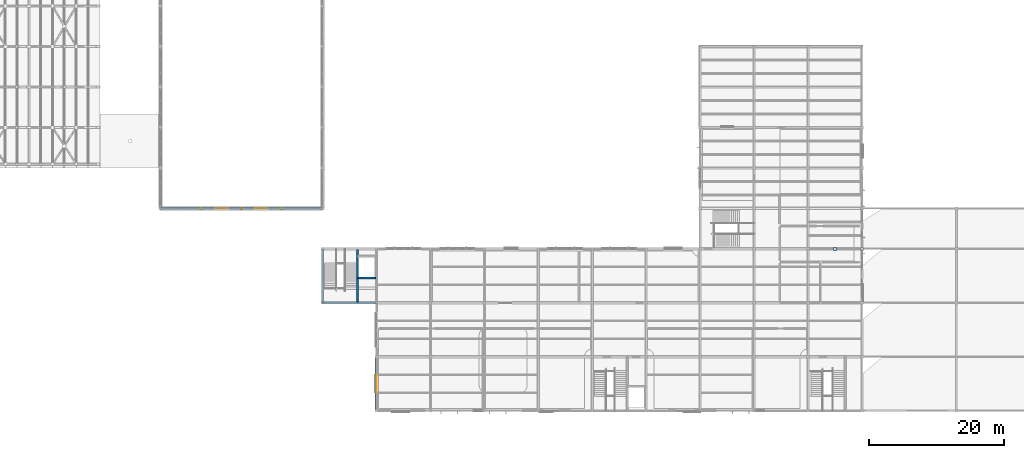
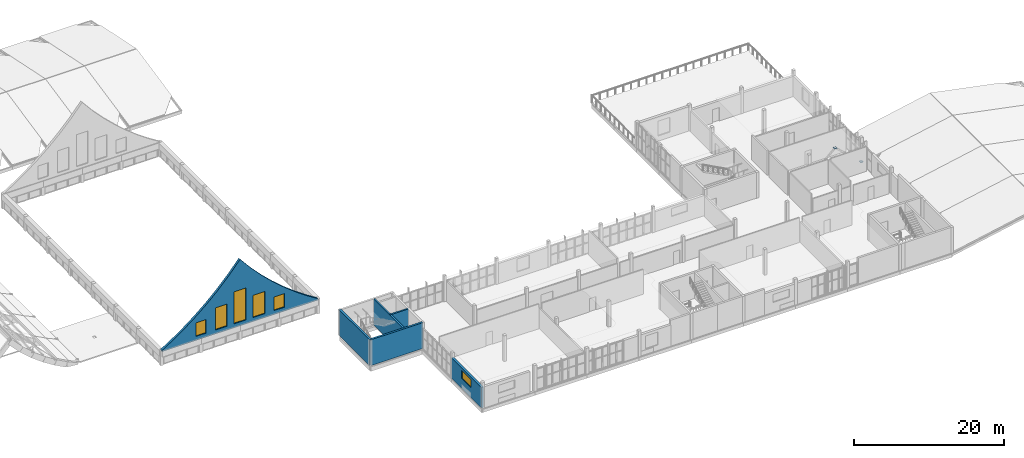
# One storey, part 35 of 45: 6 walls, 6 windows, 2 plates, 6 openings.
"""IFC4 building model written with IfcOpenShell, lengths in metres."""

from ifc_helpers import new_model, si_unit, direction, frame, frame_2d, origin, origin_2d, place, context, subcontext, project, spatial, polyline, rectangle, outline, extrude, material, layer, layer_set, type_object, element, fill, save


model = new_model("IFC4")

# Units and contexts
model_context = context("Model", 3, precision=1e-05, world=origin(), true_north=direction((0.0, 1.0)))
body_context = subcontext(model_context, "Body", "Model", "MODEL_VIEW")
ifc_project = project(units=[si_unit("LENGTHUNIT", "METRE"), si_unit("AREAUNIT", "SQUARE_METRE"), si_unit("VOLUMEUNIT", "CUBIC_METRE"), si_unit("PLANEANGLEUNIT", "RADIAN"), si_unit("MASSUNIT", "GRAM", prefix="KILO")], contexts=[model_context])

# Site, building, storey
site_placement = place(None, origin())
site = spatial("IfcSite", under=ifc_project, at=site_placement, CompositionType="ELEMENT")
building_placement = place(site_placement, origin())
building = spatial("IfcBuilding", under=site, at=building_placement, Name="Solvane Community Centre", CompositionType="ELEMENT")
storey_placement = place(building_placement, frame((0.0, 0.0, 13.800048828125)))
storey = spatial("IfcBuildingStorey", under=building, at=storey_placement, Name="L03", CompositionType="ELEMENT", Elevation=13.800048828125)

# Plates
ifc_material_1 = material(Name="Steel ASTM A572 Grade 50", Category="steel")
ifc_layer_1 = layer(ifc_material_1, 0.02392578125)
ifc_layer_set_1 = layer_set([ifc_layer_1], Name="Steel ASTM A572 Grade 50")
plate_type = type_object("IfcPlateType", Name="Bracing Node Gusset Plate 420x420x24", PredefinedType="USERDEFINED", material=ifc_layer_set_1)
for number, where, z_axis, x_axis, name in (
    (1, (136.0, 30.0, 3.81787109375), (0.0, 0.0, 1.0), (1.0, 0.0, 0.0), "Gusset Plate PLT-L03-0121"),
    (2, (140.0, 30.0, 0.2080078125), (0.0, 0.0, 1.0), (1.0, 0.0, 0.0), "Gusset Plate PLT-L03-0123"),
):
    element("IfcPlate", number, at=place(storey_placement, frame(where, z_axis=z_axis, x_axis=x_axis)), inside=storey, type_object=plate_type, Name=name, ObjectType="GUSSET_PLATE", PredefinedType="USERDEFINED", context=body_context, shape_type="SweptSolid", body=[
        extrude(rectangle(XDim=0.419921875, YDim=0.419921875, at=origin_2d()), origin(), (0.0, 0.0, 1.0), 0.02392578125),
    ])

# Wall, opening, window
ifc_material_2 = material(Name="Precast concrete C35/45", Category="concrete")
ifc_layer_2 = layer(ifc_material_2, 0.35009765625)
ifc_layer_set_2 = layer_set([ifc_layer_2], Name="Precast concrete C35/45")
wall_type_1 = type_object("IfcWallType", Name="Art Deco Limestone Cavity Wall 350mm [80x33dm]", PredefinedType="SOLIDWALL", material=ifc_layer_set_2)
wall_1_placement = place(storey_placement, frame((68.0, 6.0, 0.0), z_axis=(0.0, 0.0, 1.0), x_axis=(0.0, 1.0, 0.0)))
wall_1 = element("IfcWall", 3, at=wall_1_placement, inside=storey, type_object=wall_type_1, Name="Exterior Wall WL-EXT-L03-0144", PredefinedType="SOLIDWALL", context=body_context, shape_type="SweptSolid", body=[
    extrude(rectangle(XDim=8.0, YDim=0.35009765625, at=frame_2d((4.0, 0.0))), origin(), (0.0, 0.0, 1.0), 3.324951171875),
])
opening_1_placement = place(wall_1_placement, frame((2.75, 0.0, 1.60009765625)))
opening_1 = element("IfcOpeningElement", 4, at=opening_1_placement, cuts=wall_1, Name="Opening WN16", PredefinedType="OPENING", context=body_context, shape_type="SweptSolid", body=[
    extrude(rectangle(XDim=2.5, YDim=1.300048828125, at=frame_2d((1.25, 0.64990234375))), frame((0.0, 0.18505859375, 0.0), z_axis=(0.0, -1.0, 0.0), x_axis=(1.0, 0.0, 0.0)), (0.0, 0.0, 1.0), 0.3701171875),
])
ifc_material_3 = material(Name="Tempered low-E double glazing", Category="glass")
window_type_1 = type_object("IfcWindowType", Name="Cloister Clerestory Window 2500x1300", PartitioningType="DOUBLE_PANEL_VERTICAL", PredefinedType="WINDOW", material=ifc_material_3)
window_1_placement = place(opening_1_placement, origin())
window_1 = element("IfcWindow", 5, at=window_1_placement, inside=storey, type_object=window_type_1, Name="L03-W064", OverallHeight=1.300048828125, OverallWidth=2.5, PartitioningType="DOUBLE_PANEL_VERTICAL", PredefinedType="WINDOW", context=body_context, shape_type="SweptSolid", body=[
    extrude(rectangle(XDim=2.5, YDim=1.300048828125, at=frame_2d((1.25, 0.64990234375))), frame((0.0, 0.030029296875, 0.0), z_axis=(0.0, -1.0, 0.0), x_axis=(1.0, 0.0, 0.0)), (0.0, 0.0, 1.0), 0.06005859375),
])
fill(opening_1, window_1)

# Wall, openings, windows
ifc_layer_3 = layer(ifc_material_2, 0.360107421875)
ifc_layer_set_3 = layer_set([ifc_layer_3], Name="Precast concrete C35/45")
wall_type_2 = type_object("IfcWallType", Name="Peaked Hall Gable Translucent-Frame Wall 360mm", PredefinedType="SOLIDWALL", material=ifc_layer_set_3)
wall_2_placement = place(storey_placement, frame((60.0, 36.0, 2.179931640625), z_axis=(0.0, 0.0, 1.0), x_axis=(-1.0, 0.0, 0.0)))
wall_2 = element("IfcWall", 6, at=wall_2_placement, inside=storey, type_object=wall_type_2, Name="Exterior Wall WL-EXT-L03-0102", PredefinedType="SOLIDWALL", context=body_context, shape_type="SweptSolid", body=[
    extrude(outline(polyline([(0.0, 0.0), (24.0, 0.0), (24.0, 0.219970703125), (22.28564453125, 1.31396484375), (20.571533203125, 2.521484375), (18.857177734375, 3.854248046875), (17.142822265625, 5.32763671875), (15.428466796875, 6.960693359375), (13.71435546875, 8.779296875), (12.0, 10.820068359375), (10.28564453125, 8.779296875), (8.571533203125, 6.960693359375), (6.857177734375, 5.32763671875), (5.142822265625, 3.854248046875), (3.428466796875, 2.521484375), (1.71435546875, 1.31396484375), (0.0, 0.219970703125), (0.0, 0.0)])), frame((0.0, 0.18017578125, 0.0), z_axis=(0.0, -1.0, 0.0), x_axis=(1.0, 0.0, 0.0)), (0.0, 0.0, 1.0), 0.360107421875),
])
opening_2_placement = place(wall_2_placement, frame((5.199951171875, 0.0, 0.669921875)))
opening_2 = element("IfcOpeningElement", 7, at=opening_2_placement, cuts=wall_2, Name="Opening WN09", PredefinedType="OPENING", context=body_context, shape_type="SweptSolid", body=[
    extrude(rectangle(XDim=1.60009765625, YDim=2.199951171875, at=frame_2d((0.800048828125, 1.10009765625))), frame((0.0, 0.18994140625, 0.0), z_axis=(0.0, -1.0, 0.0), x_axis=(1.0, 0.0, 0.0)), (0.0, 0.0, 1.0), 0.380126953125),
])
opening_3_placement = place(wall_2_placement, frame((8.199951171875, 0.0, 0.669921875)))
opening_3 = element("IfcOpeningElement", 8, at=opening_3_placement, cuts=wall_2, Name="Opening WN08", PredefinedType="OPENING", context=body_context, shape_type="SweptSolid", body=[
    extrude(rectangle(XDim=1.800048828125, YDim=3.60009765625, at=frame_2d((0.89990234375, 1.800048828125))), frame((0.0, 0.18994140625, 0.0), z_axis=(0.0, -1.0, 0.0), x_axis=(1.0, 0.0, 0.0)), (0.0, 0.0, 1.0), 0.380126953125),
])
opening_4_placement = place(wall_2_placement, frame((11.10009765625, 0.0, 0.669921875)))
opening_4 = element("IfcOpeningElement", 9, at=opening_4_placement, cuts=wall_2, Name="Opening WN07", PredefinedType="OPENING", context=body_context, shape_type="SweptSolid", body=[
    extrude(rectangle(XDim=1.800048828125, YDim=5.199951171875, at=frame_2d((0.89990234375, 2.60009765625))), frame((0.0, 0.18994140625, 0.0), z_axis=(0.0, -1.0, 0.0), x_axis=(1.0, 0.0, 0.0)), (0.0, 0.0, 1.0), 0.380126953125),
])
opening_5_placement = place(wall_2_placement, frame((14.0, 0.0, 0.669921875)))
opening_5 = element("IfcOpeningElement", 10, at=opening_5_placement, cuts=wall_2, Name="Opening WN08", PredefinedType="OPENING", context=body_context, shape_type="SweptSolid", body=[
    extrude(rectangle(XDim=1.800048828125, YDim=3.60009765625, at=frame_2d((0.89990234375, 1.800048828125))), frame((0.0, 0.18994140625, 0.0), z_axis=(0.0, -1.0, 0.0), x_axis=(1.0, 0.0, 0.0)), (0.0, 0.0, 1.0), 0.380126953125),
])
opening_6_placement = place(wall_2_placement, frame((17.199951171875, 0.0, 0.669921875)))
opening_6 = element("IfcOpeningElement", 11, at=opening_6_placement, cuts=wall_2, Name="Opening WN09", PredefinedType="OPENING", context=body_context, shape_type="SweptSolid", body=[
    extrude(rectangle(XDim=1.60009765625, YDim=2.199951171875, at=frame_2d((0.800048828125, 1.10009765625))), frame((0.0, 0.18994140625, 0.0), z_axis=(0.0, -1.0, 0.0), x_axis=(1.0, 0.0, 0.0)), (0.0, 0.0, 1.0), 0.380126953125),
])
ifc_material_4 = material(Name="Translucent channel glass", Category="glass")
window_type_2 = type_object("IfcWindowType", Name="Gable Channel-Glass Eave Lancet 1600x2200", PartitioningType="SINGLE_PANEL", PredefinedType="WINDOW", material=ifc_material_4)
window_2_placement = place(opening_2_placement, origin())
window_2 = element("IfcWindow", 12, at=window_2_placement, inside=storey, type_object=window_type_2, Name="L03-W029", OverallHeight=2.199951171875, OverallWidth=1.60009765625, PartitioningType="SINGLE_PANEL", PredefinedType="WINDOW", context=body_context, shape_type="SweptSolid", body=[
    extrude(rectangle(XDim=1.60009765625, YDim=2.199951171875, at=frame_2d((0.800048828125, 1.10009765625))), frame((0.0, 0.030029296875, 0.0), z_axis=(0.0, -1.0, 0.0), x_axis=(1.0, 0.0, 0.0)), (0.0, 0.0, 1.0), 0.06005859375),
])
fill(opening_2, window_2)
window_3_placement = place(opening_6_placement, origin())
window_3 = element("IfcWindow", 13, at=window_3_placement, inside=storey, type_object=window_type_2, Name="L03-W033", OverallHeight=2.199951171875, OverallWidth=1.60009765625, PartitioningType="SINGLE_PANEL", PredefinedType="WINDOW", context=body_context, shape_type="SweptSolid", body=[
    extrude(rectangle(XDim=1.60009765625, YDim=2.199951171875, at=frame_2d((0.800048828125, 1.10009765625))), frame((0.0, 0.030029296875, 0.0), z_axis=(0.0, -1.0, 0.0), x_axis=(1.0, 0.0, 0.0)), (0.0, 0.0, 1.0), 0.06005859375),
])
fill(opening_6, window_3)
window_type_3 = type_object("IfcWindowType", Name="Gable Channel-Glass Mid Lancet 1800x3600", PartitioningType="DOUBLE_PANEL_VERTICAL", PredefinedType="WINDOW", material=ifc_material_4)
window_4_placement = place(opening_3_placement, origin())
window_4 = element("IfcWindow", 14, at=window_4_placement, inside=storey, type_object=window_type_3, Name="L03-W030", OverallHeight=3.60009765625, OverallWidth=1.800048828125, PartitioningType="DOUBLE_PANEL_VERTICAL", PredefinedType="WINDOW", context=body_context, shape_type="SweptSolid", body=[
    extrude(rectangle(XDim=1.800048828125, YDim=3.60009765625, at=frame_2d((0.89990234375, 1.800048828125))), frame((0.0, 0.030029296875, 0.0), z_axis=(0.0, -1.0, 0.0), x_axis=(1.0, 0.0, 0.0)), (0.0, 0.0, 1.0), 0.06005859375),
])
fill(opening_3, window_4)
window_5_placement = place(opening_5_placement, origin())
window_5 = element("IfcWindow", 15, at=window_5_placement, inside=storey, type_object=window_type_3, Name="L03-W032", OverallHeight=3.60009765625, OverallWidth=1.800048828125, PartitioningType="DOUBLE_PANEL_VERTICAL", PredefinedType="WINDOW", context=body_context, shape_type="SweptSolid", body=[
    extrude(rectangle(XDim=1.800048828125, YDim=3.60009765625, at=frame_2d((0.89990234375, 1.800048828125))), frame((0.0, 0.030029296875, 0.0), z_axis=(0.0, -1.0, 0.0), x_axis=(1.0, 0.0, 0.0)), (0.0, 0.0, 1.0), 0.06005859375),
])
fill(opening_5, window_5)
window_type_4 = type_object("IfcWindowType", Name="Gable Channel-Glass Tall Lancet 1800x5200", PartitioningType="TRIPLE_PANEL_VERTICAL", PredefinedType="WINDOW", material=ifc_material_4)
window_6_placement = place(opening_4_placement, origin())
window_6 = element("IfcWindow", 16, at=window_6_placement, inside=storey, type_object=window_type_4, Name="L03-W031", OverallHeight=5.199951171875, OverallWidth=1.800048828125, PartitioningType="TRIPLE_PANEL_VERTICAL", PredefinedType="WINDOW", context=body_context, shape_type="SweptSolid", body=[
    extrude(rectangle(XDim=1.800048828125, YDim=5.199951171875, at=frame_2d((0.89990234375, 2.60009765625))), frame((0.0, 0.030029296875, 0.0), z_axis=(0.0, -1.0, 0.0), x_axis=(1.0, 0.0, 0.0)), (0.0, 0.0, 1.0), 0.06005859375),
])
fill(opening_4, window_6)

# Walls
ifc_material_5 = material(Name="Concrete C35/45", Category="concrete")
ifc_layer_4 = layer(ifc_material_5, 0.300048828125)
ifc_layer_set_4 = layer_set([ifc_layer_4], Name="Concrete C35/45")
wall_type_3 = type_object("IfcWallType", Name="RC Core Shear Wall 300mm [80x42dm]", PredefinedType="SHEAR", material=ifc_layer_set_4)
for number, where, z_axis, x_axis, name in (
    (17, (68.0, 22.0, 0.0), (0.0, 0.0, 1.0), (-1.0, 0.0, 0.0), "Interior Wall WL-INT-L03-0017"),
    (18, (60.0, 22.0, 0.0), (0.0, 0.0, 1.0), (0.0, 1.0, 0.0), "Interior Wall WL-INT-L03-0018"),
):
    element("IfcWall", number, at=place(storey_placement, frame(where, z_axis=z_axis, x_axis=x_axis)), inside=storey, type_object=wall_type_3, Name=name, PredefinedType="SHEAR", context=body_context, shape_type="SweptSolid", body=[
        extrude(rectangle(XDim=8.0, YDim=0.300048828125, at=frame_2d((4.0, 0.0))), origin(), (0.0, 0.0, 1.0), 4.199951171875),
    ])
ifc_layer_5 = layer(ifc_material_5, 0.25)
ifc_layer_set_5 = layer_set([ifc_layer_5], Name="Concrete C35/45")
wall_type_4 = type_object("IfcWallType", Name="RC Lift Shaft Wall 250mm [27x42dm]", PredefinedType="SHEAR", material=ifc_layer_set_5)
wall_3_placement = place(storey_placement, frame((65.199951171875, 25.679931640625, 0.0), z_axis=(0.0, 0.0, 1.0), x_axis=(1.0, 0.0, 0.0)))
element("IfcWall", 19, at=wall_3_placement, inside=storey, type_object=wall_type_4, Name="Interior Wall WL-INT-L03-0021", PredefinedType="SHEAR", context=body_context, shape_type="SweptSolid", body=[
    extrude(rectangle(XDim=2.699951171875, YDim=0.25, at=frame_2d((1.35009765625, 0.0))), origin(), (0.0, 0.0, 1.0), 4.199951171875),
])
ifc_layer_6 = layer(ifc_material_5, 0.25)
ifc_layer_set_6 = layer_set([ifc_layer_6], Name="Concrete C35/45")
wall_type_5 = type_object("IfcWallType", Name="RC Lift Shaft Wall 250mm [78x42dm]", PredefinedType="SHEAR", material=ifc_layer_set_6)
wall_4_placement = place(storey_placement, frame((65.199951171875, 22.10009765625, 0.0), z_axis=(0.0, 0.0, 1.0), x_axis=(0.0, 1.0, 0.0)))
element("IfcWall", 20, at=wall_4_placement, inside=storey, type_object=wall_type_5, Name="Interior Wall WL-INT-L03-0020", PredefinedType="SHEAR", context=body_context, shape_type="SweptSolid", body=[
    extrude(rectangle(XDim=7.7998046875, YDim=0.25, at=frame_2d((3.89990234375, 0.0))), origin(), (0.0, 0.0, 1.0), 4.199951171875),
])

save(model, "model.ifc")
